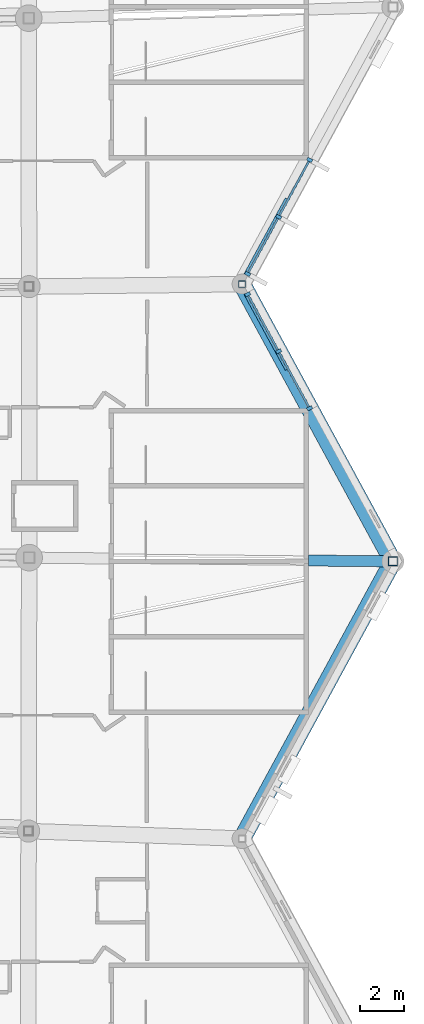
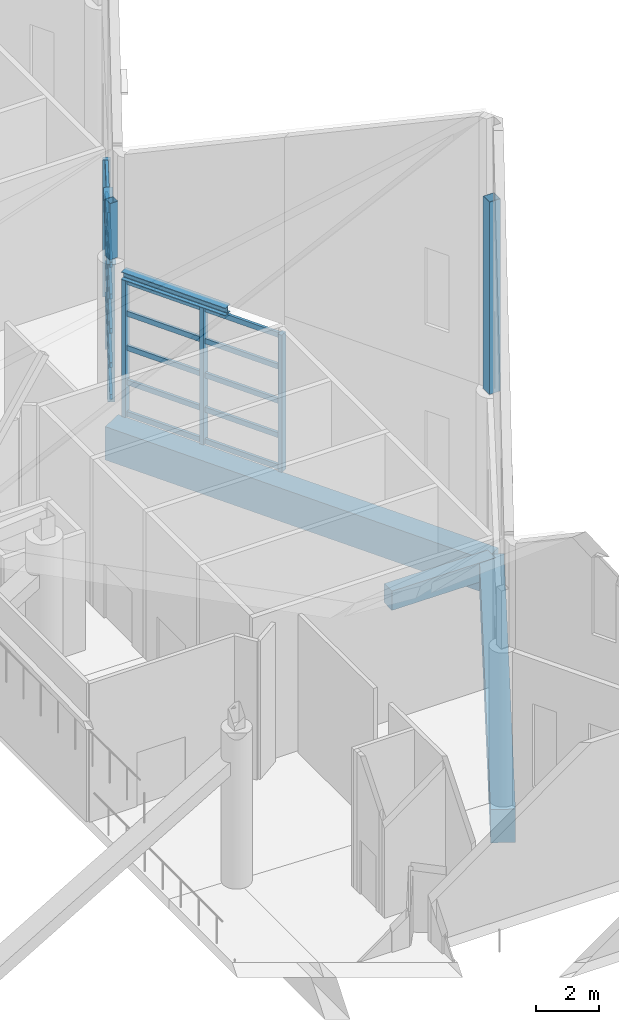
# One storey, part 115 of 344: 28 members, 5 beams, 2 elements without a shape of their own.
"""IFC4 building model written with IfcOpenShell, lengths in metres."""

import ifcopenshell
import ifcopenshell.guid

model = None  # the IFC model being written
_history = None  # IfcOwnerHistory: only IFC2X3 demands one
_inside = {}  # id of a spatial element -> (the spatial element, [elements in it])
_under = {}  # id of a project, library or spatial element -> (it, [spatial elements below it])
_declared = {}  # id of a project -> (the project, [libraries it declares])
_typed = {}  # id of a type object -> (the type object, [elements of that type])
_made_of = {}  # id of a material, layer set ... -> (it, [elements and type objects made of it])


def new_model(schema):
    """Start an empty IFC model of exactly this schema.

    Asked for "IFC4X3", IfcOpenShell would pick the latest addendum, in which some entities
    have other attributes; the version numbers below select the first issue.
    IFC2X3 requires an IfcOwnerHistory on every rooted entity: one is made here for all.
    """
    global model, _history
    if schema == "IFC4X3":
        model = ifcopenshell.file(schema_version=(4, 3, 0, 0))
    else:
        model = ifcopenshell.file(schema=schema)
    _inside.clear()
    _under.clear()
    _declared.clear()
    _typed.clear()
    _made_of.clear()
    _history = None
    if model.schema == "IFC2X3":
        org = make("IfcOrganization", Name="unknown")
        user = make(
            "IfcPersonAndOrganization",
            ThePerson=make("IfcPerson", FamilyName="unknown"),
            TheOrganization=org,
        )
        app = make(
            "IfcApplication",
            ApplicationDeveloper=org,
            Version="unknown",
            ApplicationFullName="unknown",
            ApplicationIdentifier="unknown",
        )
        _history = make(
            "IfcOwnerHistory",
            OwningUser=user,
            OwningApplication=app,
            ChangeAction="ADDED",
            CreationDate=0,
        )
    return model


def make(cls, **values):
    """One entity of the class cls with the attributes given. An attribute that is None is left unset."""
    return model.create_entity(
        cls, **{name: value for name, value in values.items() if value is not None}
    )


def rooted(cls, **values):
    """An entity with a GlobalId (a new one), such as an element, a storey or a relation."""
    return make(cls, GlobalId=ifcopenshell.guid.new(), OwnerHistory=_history, **values)


def si_unit(unit_type, name, prefix=None):
    """IfcSIUnit, for example si_unit("LENGTHUNIT", "METRE", prefix="MILLI")."""
    return make("IfcSIUnit", UnitType=unit_type, Prefix=prefix, Name=name)


def assignment(units):
    """IfcUnitAssignment: the units of a project."""
    return None if units is None else make("IfcUnitAssignment", Units=units)


def point(xyz):
    """IfcCartesianPoint."""
    return None if xyz is None else make("IfcCartesianPoint", Coordinates=xyz)


def direction(xyz):
    """IfcDirection."""
    return None if xyz is None else make("IfcDirection", DirectionRatios=xyz)


def frame(location, z_axis=None, x_axis=None):
    """IfcAxis2Placement3D, a coordinate frame: its origin and axes. An axis left out is left unset."""
    return make(
        "IfcAxis2Placement3D",
        Location=point(location),
        Axis=direction(z_axis),
        RefDirection=direction(x_axis),
    )


def frame_2d(location, x_axis=None):
    """IfcAxis2Placement2D, a coordinate frame in the plane: its origin and x axis."""
    return make(
        "IfcAxis2Placement2D", Location=point(location), RefDirection=direction(x_axis)
    )


def origin():
    """The frame at (0, 0, 0) with its axes left unset."""
    return frame((0.0, 0.0, 0.0))


def origin_2d():
    """The frame at (0, 0) in the plane with its x axis left unset."""
    return frame_2d((0.0, 0.0))


def place(relative_to, where):
    """IfcLocalPlacement: puts the frame where relative to a parent placement (None: the world)."""
    return make(
        "IfcLocalPlacement", PlacementRelTo=relative_to, RelativePlacement=where
    )


def context(
    kind, dimensions, precision=None, world=None, true_north=None, identifier=None
):
    """IfcGeometricRepresentationContext, for example the 3D "Model" context."""
    return make(
        "IfcGeometricRepresentationContext",
        ContextIdentifier=identifier,
        ContextType=kind,
        CoordinateSpaceDimension=dimensions,
        Precision=precision,
        WorldCoordinateSystem=world,
        TrueNorth=true_north,
    )


def subcontext(parent, identifier, kind, view, scale=None):
    """IfcGeometricRepresentationSubContext, for example "Body" below "Model"."""
    return make(
        "IfcGeometricRepresentationSubContext",
        ContextIdentifier=identifier,
        ContextType=kind,
        ParentContext=parent,
        TargetScale=scale,
        TargetView=view,
    )


def project(units=None, contexts=None):
    """IfcProject with its units and contexts."""
    return rooted(
        "IfcProject",
        Name="project",
        RepresentationContexts=contexts,
        UnitsInContext=assignment(units),
    )


def spatial(cls, under=None, at=None, **own):
    """A site, building, storey or space (cls), placed at a placement, below another one or the project."""
    s = rooted(cls, ObjectPlacement=at, **own)
    if under is not None:
        _under.setdefault(under.id(), (under, []))[1].append(s)
    return s


def profile(cls, at=None, kind="AREA", **sizes):
    """A parametric profile (cls). Its sizes go by their IFC names, for example OverallWidth=200.0."""
    return make(cls, ProfileType=kind, Position=at, **sizes)


def rectangle(**sizes):
    """IfcRectangleProfileDef."""
    return profile("IfcRectangleProfileDef", **sizes)


def hollow_rectangle(**sizes):
    """IfcRectangleHollowProfileDef."""
    return profile("IfcRectangleHollowProfileDef", **sizes)


def i_section(**sizes):
    """IfcIShapeProfileDef."""
    return profile("IfcIShapeProfileDef", **sizes)


def extrude(swept, where, along, depth):
    """IfcExtrudedAreaSolid: the profile swept, set in the frame where, extruded along a direction by depth."""
    return make(
        "IfcExtrudedAreaSolid",
        SweptArea=swept,
        Position=where,
        ExtrudedDirection=direction(along),
        Depth=depth,
    )


def shape(context_of_items, identifier, shape_type, items):
    """IfcShapeRepresentation: the items that make up one representation, for example the "Body"."""
    return make(
        "IfcShapeRepresentation",
        ContextOfItems=context_of_items,
        RepresentationIdentifier=identifier,
        RepresentationType=shape_type,
        Items=items,
    )


def material(Name=None, Category=None):
    """IfcMaterial."""
    return make("IfcMaterial", Name=Name, Category=Category)


def layer(
    of_material, thickness, ventilated=None, Name=None, Category=None, Priority=None
):
    """IfcMaterialLayer: one layer of a wall or slab, of a material (None: an air gap)."""
    return make(
        "IfcMaterialLayer",
        Material=of_material,
        LayerThickness=thickness,
        IsVentilated=ventilated,
        Name=Name,
        Category=Category,
        Priority=Priority,
    )


def layer_set(layers, Name=None):
    """IfcMaterialLayerSet."""
    return make("IfcMaterialLayerSet", MaterialLayers=layers, LayerSetName=Name)


def material_profile(
    of_material, cross_section, Name=None, Category=None, Priority=None
):
    """IfcMaterialProfile: a cross section and its material."""
    return make(
        "IfcMaterialProfile",
        Name=Name,
        Material=of_material,
        Profile=cross_section,
        Priority=Priority,
        Category=Category,
    )


def profile_set(profiles, Name=None, composite=None):
    """IfcMaterialProfileSet."""
    return make(
        "IfcMaterialProfileSet",
        Name=Name,
        MaterialProfiles=profiles,
        CompositeProfile=composite,
    )


def made_of(thing, what):
    """Note that an element or type object is made of a material, layer set ...; save() writes the relation."""
    if what is not None:
        _made_of.setdefault(what.id(), (what, []))[1].append(thing)
    return thing


def type_object(cls, material=None, **own):
    """A type object (cls), such as IfcWallType, which elements share."""
    return made_of(rooted(cls, **own), material)


def element(
    cls,
    number,
    at=None,
    inside=None,
    cuts=None,
    type_object=None,
    material=None,
    context=None,
    identifier="Body",
    shape_type=None,
    held_by="IfcProductDefinitionShape",
    body=None,
    shapes=None,
    **own,
):
    """One element of the class cls, such as IfcWall. Its Tag is "e" and its number.

    at: its placement. inside: the storey or other place that contains it. cuts: it is an
    opening in that element (IfcRelVoidsElement). A single representation is given by context,
    identifier, shape_type and body (its items); several are given by shapes. held_by: the class
    of the entity that holds the representations. save() writes the other relations.
    """
    e = rooted(cls, Tag="e%d" % number, ObjectPlacement=at, **own)
    if body is not None:
        shapes = [shape(context, identifier, shape_type, body)]
    if shapes is not None:
        e.Representation = make(held_by, Representations=shapes)
    if inside is not None:
        _inside.setdefault(inside.id(), (inside, []))[1].append(e)
    if cuts is not None:
        rooted(
            "IfcRelVoidsElement", RelatingBuildingElement=cuts, RelatedOpeningElement=e
        )
    if type_object is not None:
        _typed.setdefault(type_object.id(), (type_object, []))[1].append(e)
    return made_of(e, material)


def aggregate(whole, parts):
    """IfcRelAggregates: a whole, such as a stair, and the parts it consists of."""
    return rooted("IfcRelAggregates", RelatingObject=whole, RelatedObjects=parts)


def save(model, path):
    """Write the relations noted so far, then the file.

    IfcRelAggregates (storeys below a building ...), IfcRelContainedInSpatialStructure (elements
    in a storey), IfcRelDefinesByType, IfcRelAssociatesMaterial and IfcRelDeclares: one each for
    every whole, place, type object, material and project.
    """
    for whole, parts in _under.values():
        aggregate(whole, parts)
    for where, things in _inside.values():
        rooted(
            "IfcRelContainedInSpatialStructure",
            RelatedElements=things,
            RelatingStructure=where,
        )
    for kind, things in _typed.values():
        rooted("IfcRelDefinesByType", RelatedObjects=things, RelatingType=kind)
    for what, things in _made_of.values():
        rooted("IfcRelAssociatesMaterial", RelatedObjects=things, RelatingMaterial=what)
    for by, libraries in _declared.values():
        rooted("IfcRelDeclares", RelatingContext=by, RelatedDefinitions=libraries)
    model.write(path)


model = new_model("IFC4")

# Units and contexts
model_context = context("Model", 3, precision=1e-05, world=origin(), true_north=direction((0.0, 1.0)))
body_context = subcontext(model_context, "Body", "Model", "MODEL_VIEW")
ifc_project = project(units=[si_unit("LENGTHUNIT", "METRE"), si_unit("AREAUNIT", "SQUARE_METRE"), si_unit("VOLUMEUNIT", "CUBIC_METRE"), si_unit("PLANEANGLEUNIT", "RADIAN"), si_unit("MASSUNIT", "GRAM", prefix="KILO")], contexts=[model_context])

# Site, building, storey
site_placement = place(None, origin())
site = spatial("IfcSite", under=ifc_project, at=site_placement, CompositionType="ELEMENT")
building_placement = place(site_placement, origin())
building = spatial("IfcBuilding", under=site, at=building_placement, Name="Meseta Stadium", CompositionType="ELEMENT")
storey_placement = place(building_placement, frame((0.0, 0.0, 24.0)))
storey = spatial("IfcBuildingStorey", under=building, at=storey_placement, Name="L04", CompositionType="ELEMENT", Elevation=24.0)

# Beams
ifc_material_1 = material(Name="Steel S355", Category="steel")
ifc_material_profile_1 = material_profile(ifc_material_1, i_section(OverallWidth=0.300048828125, OverallDepth=0.300048828125, WebThickness=0.010986328125, FlangeThickness=0.01904296875, FilletRadius=0.027099609375, at=origin_2d()), Name="HEB 300")
ifc_profile_set_1 = profile_set([ifc_material_profile_1], Name="Steel S355")
beam_type_1 = type_object("IfcBeamType", Name="Atrium lintel beam HEB 300", PredefinedType="BEAM", material=ifc_profile_set_1)
for number, where, z_axis, x_axis, name in (
    (1, (94.81494140625, 5.854736328125, 5.5), (0.47789568686, -0.878416593924, 0.0), (0.878416593924, 0.47789568686, 0.0), "Atrium lintel beam F04"),
    (2, (94.81494140625, 6.645263671875, 5.5), (0.47789568686, 0.878416593924, 0.0), (-0.878416593924, 0.47789568686, 0.0), "Atrium lintel beam F05"),
):
    element("IfcBeam", number, at=place(storey_placement, frame(where, z_axis=z_axis, x_axis=x_axis)), inside=storey, type_object=beam_type_1, Name=name, PredefinedType="BEAM", context=body_context, shape_type="SweptSolid", body=[
        extrude(i_section(OverallWidth=0.300048828125, OverallDepth=0.300048828125, WebThickness=0.010986328125, FlangeThickness=0.01904296875, FilletRadius=0.027099609375, at=origin_2d()), origin(), (0.0, 0.0, 1.0), 3.89990234375),
    ])

# Curtain wall, members
ifc_material_2 = material(Name="Steel S355", Category="steel")
ifc_layer = layer(ifc_material_2, 0.300048828125)
ifc_layer_set = layer_set([ifc_layer], Name="Valley atrium curtain wall")
curtain_wall_type = type_object("IfcCurtainWallType", Name="Valley atrium curtain wall", PredefinedType="NOTDEFINED", material=ifc_layer_set)
curtain_wall_1_placement = place(storey_placement, origin())
curtain_wall_1 = element("IfcCurtainWall", 3, at=curtain_wall_1_placement, inside=storey, type_object=curtain_wall_type, Name="Valley atrium glazing F04", PredefinedType="NOTDEFINED")
ifc_material_3 = material(Name="Steel S355", Category="steel")
ifc_material_profile_2 = material_profile(ifc_material_3, rectangle(XDim=0.25, YDim=0.14990234375, at=origin_2d()), Name="CW 250x150")
ifc_profile_set_2 = profile_set([ifc_material_profile_2], Name="Steel S355")
member_type_1 = type_object("IfcMemberType", Name="CW mullion bar 250x150", PredefinedType="MULLION", material=ifc_profile_set_2)
member_1_placement = place(storey_placement, frame((97.646240234375, 0.650146484375, 0.0), z_axis=(0.0, 0.0, 1.0), x_axis=(-0.8784321511, -0.477867090218, 0.0)))
member_1 = element("IfcMember", 4, at=member_1_placement, type_object=member_type_1, Name="CWA mullion 1", PredefinedType="MULLION", context=body_context, shape_type="SweptSolid", body=[
    extrude(rectangle(XDim=0.25, YDim=0.14990234375, at=origin_2d()), origin(), (0.0, 0.0, 1.0), 5.35009765625),
])
member_2_placement = place(storey_placement, frame((96.24853515625, 3.219482421875, 0.0), z_axis=(0.0, 0.0, 1.0), x_axis=(-0.8784321511, -0.477867090218, 0.0)))
member_2 = element("IfcMember", 5, at=member_2_placement, type_object=member_type_1, Name="CWA mullion 2", PredefinedType="MULLION", context=body_context, shape_type="SweptSolid", body=[
    extrude(rectangle(XDim=0.25, YDim=0.14990234375, at=origin_2d()), origin(), (0.0, 0.0, 1.0), 5.35009765625),
])
member_3_placement = place(storey_placement, frame((94.850830078125, 5.7890625, 0.0), z_axis=(0.0, 0.0, 1.0), x_axis=(-0.8784321511, -0.477867090218, 0.0)))
member_3 = element("IfcMember", 6, at=member_3_placement, type_object=member_type_1, Name="CWA mullion 3", PredefinedType="MULLION", context=body_context, shape_type="SweptSolid", body=[
    extrude(rectangle(XDim=0.25, YDim=0.14990234375, at=origin_2d()), origin(), (0.0, 0.0, 1.0), 5.35009765625),
])

curtain_wall_2_placement = place(storey_placement, origin())
curtain_wall_2 = element("IfcCurtainWall", 7, at=curtain_wall_2_placement, inside=storey, type_object=curtain_wall_type, Name="Valley atrium glazing F05", PredefinedType="NOTDEFINED")
member_4_placement = place(storey_placement, frame((94.850830078125, 6.7109375, 0.0), z_axis=(0.0, 0.0, 1.0), x_axis=(-0.8784321511, 0.477867090218, 0.0)))
member_4 = element("IfcMember", 8, at=member_4_placement, type_object=member_type_1, Name="CWA mullion 1", PredefinedType="MULLION", context=body_context, shape_type="SweptSolid", body=[
    extrude(rectangle(XDim=0.25, YDim=0.14990234375, at=origin_2d()), origin(), (0.0, 0.0, 1.0), 5.35009765625),
])
member_5_placement = place(storey_placement, frame((96.24853515625, 9.280517578125, 0.0), z_axis=(0.0, 0.0, 1.0), x_axis=(-0.8784321511, 0.477867090218, 0.0)))
member_5 = element("IfcMember", 9, at=member_5_placement, type_object=member_type_1, Name="CWA mullion 2", PredefinedType="MULLION", context=body_context, shape_type="SweptSolid", body=[
    extrude(rectangle(XDim=0.25, YDim=0.14990234375, at=origin_2d()), origin(), (0.0, 0.0, 1.0), 5.35009765625),
])
member_6_placement = place(storey_placement, frame((97.646240234375, 11.849853515625, 0.0), z_axis=(0.0, 0.0, 1.0), x_axis=(-0.8784321511, 0.477867090218, 0.0)))
member_6 = element("IfcMember", 10, at=member_6_placement, type_object=member_type_1, Name="CWA mullion 3", PredefinedType="MULLION", context=body_context, shape_type="SweptSolid", body=[
    extrude(rectangle(XDim=0.25, YDim=0.14990234375, at=origin_2d()), origin(), (0.0, 0.0, 1.0), 5.35009765625),
])

# Member
ifc_material_4 = material(Name="Steel S355", Category="steel")
ifc_material_profile_3 = material_profile(ifc_material_4, hollow_rectangle(XDim=0.10009765625, YDim=0.199951171875, WallThickness=0.008056640625, at=origin_2d()), Name="RHS 200x100x8")
ifc_profile_set_3 = profile_set([ifc_material_profile_3], Name="Steel S355")
member_type_2 = type_object("IfcMemberType", Name="CW transom RHS 200x100x8", PredefinedType="USERDEFINED", material=ifc_profile_set_3)
member_7_placement = place(storey_placement, frame((97.610595703125, 0.716064453125, 0.10009765625), z_axis=(-0.477914884213, 0.878406149482, 0.0), x_axis=(-0.878406149482, -0.477914884213, 0.0)))
member_7 = element("IfcMember", 11, at=member_7_placement, type_object=member_type_2, Name="CWA transom 1.1", ObjectType="TRANSOM", PredefinedType="USERDEFINED", context=body_context, shape_type="SweptSolid", body=[
    extrude(hollow_rectangle(XDim=0.10009765625, YDim=0.199951171875, WallThickness=0.008056640625, at=origin_2d()), origin(), (0.0, 0.0, 1.0), 2.77490234375),
])

member_8_placement = place(storey_placement, frame((97.610595703125, 0.716064453125, 1.33740234375), z_axis=(-0.477914884213, 0.878406149482, 0.0), x_axis=(-0.878406149482, -0.477914884213, 0.0)))
member_8 = element("IfcMember", 12, at=member_8_placement, type_object=member_type_2, Name="CWA transom 1.2", ObjectType="TRANSOM", PredefinedType="USERDEFINED", context=body_context, shape_type="SweptSolid", body=[
    extrude(hollow_rectangle(XDim=0.10009765625, YDim=0.199951171875, WallThickness=0.008056640625, at=origin_2d()), origin(), (0.0, 0.0, 1.0), 2.77490234375),
])

member_9_placement = place(storey_placement, frame((97.610595703125, 0.716064453125, 2.675048828125), z_axis=(-0.477914884213, 0.878406149482, 0.0), x_axis=(-0.878406149482, -0.477914884213, 0.0)))
member_9 = element("IfcMember", 13, at=member_9_placement, type_object=member_type_2, Name="CWA transom 1.3", ObjectType="TRANSOM", PredefinedType="USERDEFINED", context=body_context, shape_type="SweptSolid", body=[
    extrude(hollow_rectangle(XDim=0.10009765625, YDim=0.199951171875, WallThickness=0.008056640625, at=origin_2d()), origin(), (0.0, 0.0, 1.0), 2.77490234375),
])

member_10_placement = place(storey_placement, frame((97.610595703125, 0.716064453125, 4.012451171875), z_axis=(-0.477914884213, 0.878406149482, 0.0), x_axis=(-0.878406149482, -0.477914884213, 0.0)))
member_10 = element("IfcMember", 14, at=member_10_placement, type_object=member_type_2, Name="CWA transom 1.4", ObjectType="TRANSOM", PredefinedType="USERDEFINED", context=body_context, shape_type="SweptSolid", body=[
    extrude(hollow_rectangle(XDim=0.10009765625, YDim=0.199951171875, WallThickness=0.008056640625, at=origin_2d()), origin(), (0.0, 0.0, 1.0), 2.77490234375),
])

member_11_placement = place(storey_placement, frame((97.610595703125, 0.716064453125, 5.25), z_axis=(-0.477914884213, 0.878406149482, 0.0), x_axis=(-0.878406149482, -0.477914884213, 0.0)))
member_11 = element("IfcMember", 15, at=member_11_placement, type_object=member_type_2, Name="CWA transom 1.5", ObjectType="TRANSOM", PredefinedType="USERDEFINED", context=body_context, shape_type="SweptSolid", body=[
    extrude(hollow_rectangle(XDim=0.10009765625, YDim=0.199951171875, WallThickness=0.008056640625, at=origin_2d()), origin(), (0.0, 0.0, 1.0), 2.77490234375),
])

member_12_placement = place(storey_placement, frame((96.212646484375, 3.285400390625, 0.10009765625), z_axis=(-0.477810063418, 0.878463171281, 0.0), x_axis=(-0.878463171281, -0.477810063418, 0.0)))
member_12 = element("IfcMember", 16, at=member_12_placement, type_object=member_type_2, Name="CWA transom 2.1", ObjectType="TRANSOM", PredefinedType="USERDEFINED", context=body_context, shape_type="SweptSolid", body=[
    extrude(hollow_rectangle(XDim=0.10009765625, YDim=0.199951171875, WallThickness=0.008056640625, at=origin_2d()), origin(), (0.0, 0.0, 1.0), 2.77490234375),
])

member_13_placement = place(storey_placement, frame((96.212646484375, 3.285400390625, 1.33740234375), z_axis=(-0.477810063418, 0.878463171281, 0.0), x_axis=(-0.878463171281, -0.477810063418, 0.0)))
member_13 = element("IfcMember", 17, at=member_13_placement, type_object=member_type_2, Name="CWA transom 2.2", ObjectType="TRANSOM", PredefinedType="USERDEFINED", context=body_context, shape_type="SweptSolid", body=[
    extrude(hollow_rectangle(XDim=0.10009765625, YDim=0.199951171875, WallThickness=0.008056640625, at=origin_2d()), origin(), (0.0, 0.0, 1.0), 2.77490234375),
])

member_14_placement = place(storey_placement, frame((96.212646484375, 3.285400390625, 2.675048828125), z_axis=(-0.477810063418, 0.878463171281, 0.0), x_axis=(-0.878463171281, -0.477810063418, 0.0)))
member_14 = element("IfcMember", 18, at=member_14_placement, type_object=member_type_2, Name="CWA transom 2.3", ObjectType="TRANSOM", PredefinedType="USERDEFINED", context=body_context, shape_type="SweptSolid", body=[
    extrude(hollow_rectangle(XDim=0.10009765625, YDim=0.199951171875, WallThickness=0.008056640625, at=origin_2d()), origin(), (0.0, 0.0, 1.0), 2.77490234375),
])

member_15_placement = place(storey_placement, frame((96.212646484375, 3.285400390625, 4.012451171875), z_axis=(-0.477810063418, 0.878463171281, 0.0), x_axis=(-0.878463171281, -0.477810063418, 0.0)))
member_15 = element("IfcMember", 19, at=member_15_placement, type_object=member_type_2, Name="CWA transom 2.4", ObjectType="TRANSOM", PredefinedType="USERDEFINED", context=body_context, shape_type="SweptSolid", body=[
    extrude(hollow_rectangle(XDim=0.10009765625, YDim=0.199951171875, WallThickness=0.008056640625, at=origin_2d()), origin(), (0.0, 0.0, 1.0), 2.77490234375),
])

member_16_placement = place(storey_placement, frame((96.212646484375, 3.285400390625, 5.25), z_axis=(-0.477810063418, 0.878463171281, 0.0), x_axis=(-0.878463171281, -0.477810063418, 0.0)))
member_16 = element("IfcMember", 20, at=member_16_placement, type_object=member_type_2, Name="CWA transom 2.5", ObjectType="TRANSOM", PredefinedType="USERDEFINED", context=body_context, shape_type="SweptSolid", body=[
    extrude(hollow_rectangle(XDim=0.10009765625, YDim=0.199951171875, WallThickness=0.008056640625, at=origin_2d()), origin(), (0.0, 0.0, 1.0), 2.77490234375),
])

aggregate(curtain_wall_1, [member_1, member_2, member_3, member_7, member_8, member_9, member_10, member_11, member_12, member_13, member_14, member_15, member_16])

member_17_placement = place(storey_placement, frame((94.88671875, 6.77685546875, 0.10009765625), z_axis=(0.477810063418, 0.878463171281, 0.0), x_axis=(-0.878463171281, 0.477810063418, 0.0)))
member_17 = element("IfcMember", 21, at=member_17_placement, type_object=member_type_2, Name="CWA transom 1.1", ObjectType="TRANSOM", PredefinedType="USERDEFINED", context=body_context, shape_type="SweptSolid", body=[
    extrude(hollow_rectangle(XDim=0.10009765625, YDim=0.199951171875, WallThickness=0.008056640625, at=origin_2d()), origin(), (0.0, 0.0, 1.0), 2.77490234375),
])

member_18_placement = place(storey_placement, frame((94.88671875, 6.77685546875, 1.33740234375), z_axis=(0.477810063418, 0.878463171281, 0.0), x_axis=(-0.878463171281, 0.477810063418, 0.0)))
member_18 = element("IfcMember", 22, at=member_18_placement, type_object=member_type_2, Name="CWA transom 1.2", ObjectType="TRANSOM", PredefinedType="USERDEFINED", context=body_context, shape_type="SweptSolid", body=[
    extrude(hollow_rectangle(XDim=0.10009765625, YDim=0.199951171875, WallThickness=0.008056640625, at=origin_2d()), origin(), (0.0, 0.0, 1.0), 2.77490234375),
])

member_19_placement = place(storey_placement, frame((94.88671875, 6.77685546875, 2.675048828125), z_axis=(0.477810063418, 0.878463171281, 0.0), x_axis=(-0.878463171281, 0.477810063418, 0.0)))
member_19 = element("IfcMember", 23, at=member_19_placement, type_object=member_type_2, Name="CWA transom 1.3", ObjectType="TRANSOM", PredefinedType="USERDEFINED", context=body_context, shape_type="SweptSolid", body=[
    extrude(hollow_rectangle(XDim=0.10009765625, YDim=0.199951171875, WallThickness=0.008056640625, at=origin_2d()), origin(), (0.0, 0.0, 1.0), 2.77490234375),
])

member_20_placement = place(storey_placement, frame((94.88671875, 6.77685546875, 4.012451171875), z_axis=(0.477810063418, 0.878463171281, 0.0), x_axis=(-0.878463171281, 0.477810063418, 0.0)))
member_20 = element("IfcMember", 24, at=member_20_placement, type_object=member_type_2, Name="CWA transom 1.4", ObjectType="TRANSOM", PredefinedType="USERDEFINED", context=body_context, shape_type="SweptSolid", body=[
    extrude(hollow_rectangle(XDim=0.10009765625, YDim=0.199951171875, WallThickness=0.008056640625, at=origin_2d()), origin(), (0.0, 0.0, 1.0), 2.77490234375),
])

member_21_placement = place(storey_placement, frame((94.88671875, 6.77685546875, 5.25), z_axis=(0.477810063418, 0.878463171281, 0.0), x_axis=(-0.878463171281, 0.477810063418, 0.0)))
member_21 = element("IfcMember", 25, at=member_21_placement, type_object=member_type_2, Name="CWA transom 1.5", ObjectType="TRANSOM", PredefinedType="USERDEFINED", context=body_context, shape_type="SweptSolid", body=[
    extrude(hollow_rectangle(XDim=0.10009765625, YDim=0.199951171875, WallThickness=0.008056640625, at=origin_2d()), origin(), (0.0, 0.0, 1.0), 2.77490234375),
])

member_22_placement = place(storey_placement, frame((96.284423828125, 9.346435546875, 0.10009765625), z_axis=(0.477914884213, 0.878406149482, 0.0), x_axis=(-0.878406149482, 0.477914884213, 0.0)))
member_22 = element("IfcMember", 26, at=member_22_placement, type_object=member_type_2, Name="CWA transom 2.1", ObjectType="TRANSOM", PredefinedType="USERDEFINED", context=body_context, shape_type="SweptSolid", body=[
    extrude(hollow_rectangle(XDim=0.10009765625, YDim=0.199951171875, WallThickness=0.008056640625, at=origin_2d()), origin(), (0.0, 0.0, 1.0), 2.77490234375),
])

member_23_placement = place(storey_placement, frame((96.284423828125, 9.346435546875, 1.33740234375), z_axis=(0.477914884213, 0.878406149482, 0.0), x_axis=(-0.878406149482, 0.477914884213, 0.0)))
member_23 = element("IfcMember", 27, at=member_23_placement, type_object=member_type_2, Name="CWA transom 2.2", ObjectType="TRANSOM", PredefinedType="USERDEFINED", context=body_context, shape_type="SweptSolid", body=[
    extrude(hollow_rectangle(XDim=0.10009765625, YDim=0.199951171875, WallThickness=0.008056640625, at=origin_2d()), origin(), (0.0, 0.0, 1.0), 2.77490234375),
])

member_24_placement = place(storey_placement, frame((96.284423828125, 9.346435546875, 2.675048828125), z_axis=(0.477914884213, 0.878406149482, 0.0), x_axis=(-0.878406149482, 0.477914884213, 0.0)))
member_24 = element("IfcMember", 28, at=member_24_placement, type_object=member_type_2, Name="CWA transom 2.3", ObjectType="TRANSOM", PredefinedType="USERDEFINED", context=body_context, shape_type="SweptSolid", body=[
    extrude(hollow_rectangle(XDim=0.10009765625, YDim=0.199951171875, WallThickness=0.008056640625, at=origin_2d()), origin(), (0.0, 0.0, 1.0), 2.77490234375),
])

member_25_placement = place(storey_placement, frame((96.284423828125, 9.346435546875, 4.012451171875), z_axis=(0.477914884213, 0.878406149482, 0.0), x_axis=(-0.878406149482, 0.477914884213, 0.0)))
member_25 = element("IfcMember", 29, at=member_25_placement, type_object=member_type_2, Name="CWA transom 2.4", ObjectType="TRANSOM", PredefinedType="USERDEFINED", context=body_context, shape_type="SweptSolid", body=[
    extrude(hollow_rectangle(XDim=0.10009765625, YDim=0.199951171875, WallThickness=0.008056640625, at=origin_2d()), origin(), (0.0, 0.0, 1.0), 2.77490234375),
])

member_26_placement = place(storey_placement, frame((96.284423828125, 9.346435546875, 5.25), z_axis=(0.477914884213, 0.878406149482, 0.0), x_axis=(-0.878406149482, 0.477914884213, 0.0)))
member_26 = element("IfcMember", 30, at=member_26_placement, type_object=member_type_2, Name="CWA transom 2.5", ObjectType="TRANSOM", PredefinedType="USERDEFINED", context=body_context, shape_type="SweptSolid", body=[
    extrude(hollow_rectangle(XDim=0.10009765625, YDim=0.199951171875, WallThickness=0.008056640625, at=origin_2d()), origin(), (0.0, 0.0, 1.0), 2.77490234375),
])

aggregate(curtain_wall_2, [member_4, member_5, member_6, member_17, member_18, member_19, member_20, member_21, member_22, member_23, member_24, member_25, member_26])

# Beams
ifc_material_5 = material(Name="Concrete C40/50", Category="concrete")
ifc_material_profile_4 = material_profile(ifc_material_5, rectangle(XDim=0.5, YDim=0.75, at=origin_2d()), Name="RC 500x750")
ifc_profile_set_4 = profile_set([ifc_material_profile_4], Name="Concrete C40/50")
beam_type_2 = type_object("IfcBeamType", Name="RC beam 500x750", PredefinedType="BEAM", material=ifc_profile_set_4)
beam_placement = place(storey_placement, frame((97.60009765625, -6.2109375, -0.77490234375), z_axis=(0.999947163614, -0.010279590477, 0.0), x_axis=(0.010279590477, 0.999947163614, 0.0)))
element("IfcBeam", 31, at=beam_placement, inside=storey, type_object=beam_type_2, Name="L04 radial beam frame 4 line P to R", PredefinedType="BEAM", context=body_context, shape_type="SweptSolid", body=[
    extrude(rectangle(XDim=0.5, YDim=0.75, at=origin_2d()), origin(), (0.0, 0.0, 1.0), 3.800048828125),
])
ifc_material_6 = material(Name="Concrete C40/50", Category="concrete")
ifc_material_profile_5 = material_profile(ifc_material_6, rectangle(XDim=0.800048828125, YDim=1.300048828125, at=origin_2d()), Name="RC 800x1300")
ifc_profile_set_5 = profile_set([ifc_material_profile_5], Name="Concrete C40/50")
beam_type_3 = type_object("IfcBeamType", Name="RC beam 800x1300", PredefinedType="BEAM", material=ifc_profile_set_5)
for number, where, z_axis, x_axis, name in (
    (32, (94.60009765625, -18.75, -1.050048828125), (0.47785649891, 0.878437912689, 0.0), (-0.878437912689, 0.47785649891, 0.0), "L04 ring beam frame 3 line R"),
    (33, (101.39990234375, -6.25, -1.050048828125), (-0.47785649891, 0.878437912689, 0.0), (-0.878437912689, -0.47785649891, 0.0), "L04 ring beam frame 4 line R"),
):
    element("IfcBeam", number, at=place(storey_placement, frame(where, z_axis=z_axis, x_axis=x_axis)), inside=storey, type_object=beam_type_3, Name=name, PredefinedType="BEAM", context=body_context, shape_type="SweptSolid", body=[
        extrude(rectangle(XDim=0.800048828125, YDim=1.300048828125, at=origin_2d()), origin(), (0.0, 0.0, 1.0), 14.229736328125),
    ])

# Members
ifc_material_7 = material(Name="Steel S355", Category="steel")
ifc_material_profile_6 = material_profile(ifc_material_7, hollow_rectangle(XDim=0.300048828125, YDim=0.300048828125, WallThickness=0.010009765625, at=origin_2d()), Name="SHS 300x300x10")
ifc_profile_set_6 = profile_set([ifc_material_profile_6], Name="Steel S355")
member_type_3 = type_object("IfcMemberType", Name="SHS 300x300x10 rim post", PredefinedType="POST", material=ifc_profile_set_6)
member_27_placement = place(storey_placement, frame((94.60009765625, 6.25, 6.0), z_axis=(0.0, 0.0, 1.0), x_axis=(1.0, 0.0, 0.0)))
element("IfcMember", 34, at=member_27_placement, inside=storey, type_object=member_type_3, Name="ROOF RIM POST RT-05", PredefinedType="POST", context=body_context, shape_type="SweptSolid", body=[
    extrude(hollow_rectangle(XDim=0.300048828125, YDim=0.300048828125, WallThickness=0.010009765625, at=origin_2d()), origin(), (0.0, 0.0, 1.0), 2.19384765625),
])
ifc_material_8 = material(Name="Steel S355", Category="steel")
ifc_material_profile_7 = material_profile(ifc_material_8, hollow_rectangle(XDim=0.39990234375, YDim=0.39990234375, WallThickness=0.01416015625, at=origin_2d()), Name="SHS 400x400x14.2")
ifc_profile_set_7 = profile_set([ifc_material_profile_7], Name="Steel S355")
member_type_4 = type_object("IfcMemberType", Name="SHS 400x400x14.2 rim post", PredefinedType="POST", material=ifc_profile_set_7)
member_28_placement = place(storey_placement, frame((101.39990234375, -6.25, 6.0), z_axis=(0.0, 0.0, 1.0), x_axis=(1.0, 0.0, 0.0)))
element("IfcMember", 35, at=member_28_placement, inside=storey, type_object=member_type_4, Name="ROOF RIM POST RT-04", PredefinedType="POST", context=body_context, shape_type="SweptSolid", body=[
    extrude(hollow_rectangle(XDim=0.39990234375, YDim=0.39990234375, WallThickness=0.01416015625, at=origin_2d()), origin(), (0.0, 0.0, 1.0), 7.501220703125),
])

save(model, "model.ifc")
